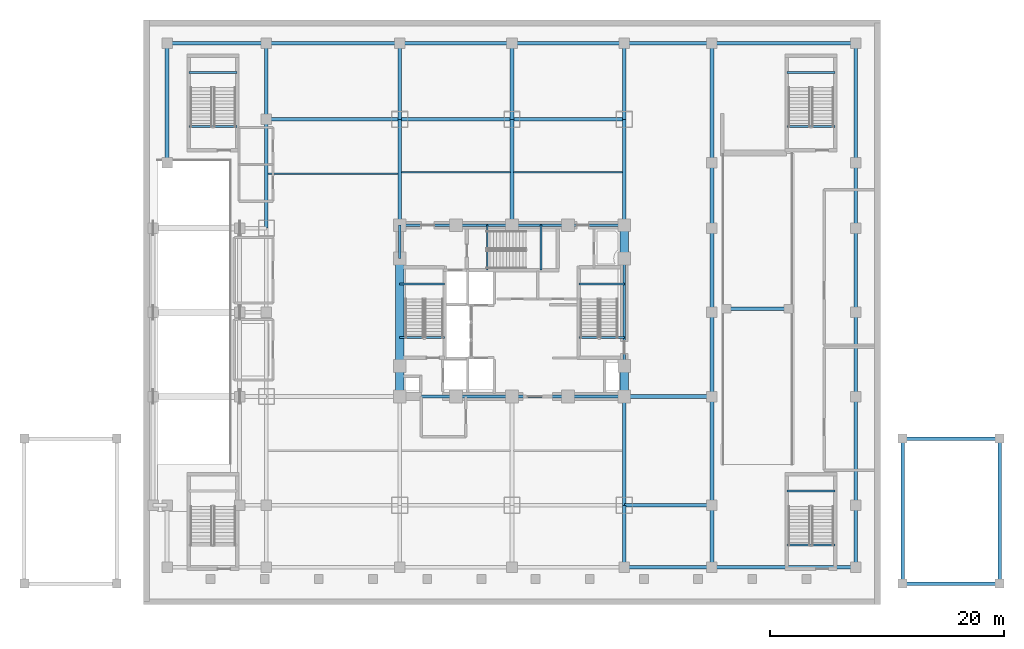
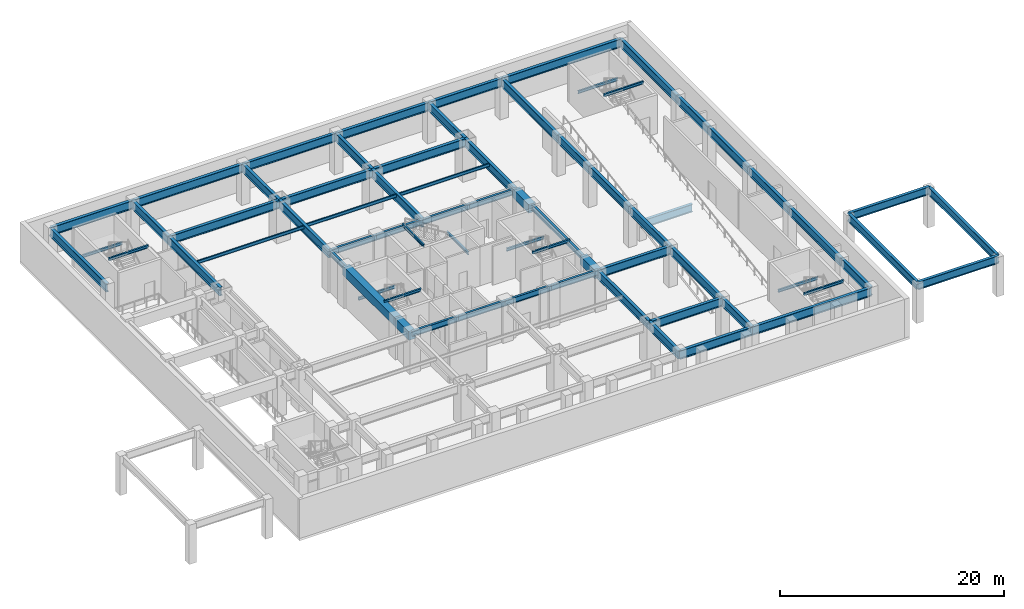
# One storey, part 2 of 12: 70 beams.
"""IFC4 building model written with IfcOpenShell, lengths in metres."""

import ifcopenshell
import ifcopenshell.guid

model = None  # the IFC model being written
_history = None  # IfcOwnerHistory: only IFC2X3 demands one
_inside = {}  # id of a spatial element -> (the spatial element, [elements in it])
_under = {}  # id of a project, library or spatial element -> (it, [spatial elements below it])
_declared = {}  # id of a project -> (the project, [libraries it declares])
_typed = {}  # id of a type object -> (the type object, [elements of that type])
_made_of = {}  # id of a material, layer set ... -> (it, [elements and type objects made of it])


def new_model(schema):
    """Start an empty IFC model of exactly this schema.

    Asked for "IFC4X3", IfcOpenShell would pick the latest addendum, in which some entities
    have other attributes; the version numbers below select the first issue.
    IFC2X3 requires an IfcOwnerHistory on every rooted entity: one is made here for all.
    """
    global model, _history
    if schema == "IFC4X3":
        model = ifcopenshell.file(schema_version=(4, 3, 0, 0))
    else:
        model = ifcopenshell.file(schema=schema)
    _inside.clear()
    _under.clear()
    _declared.clear()
    _typed.clear()
    _made_of.clear()
    _history = None
    if model.schema == "IFC2X3":
        org = make("IfcOrganization", Name="unknown")
        user = make(
            "IfcPersonAndOrganization",
            ThePerson=make("IfcPerson", FamilyName="unknown"),
            TheOrganization=org,
        )
        app = make(
            "IfcApplication",
            ApplicationDeveloper=org,
            Version="unknown",
            ApplicationFullName="unknown",
            ApplicationIdentifier="unknown",
        )
        _history = make(
            "IfcOwnerHistory",
            OwningUser=user,
            OwningApplication=app,
            ChangeAction="ADDED",
            CreationDate=0,
        )
    return model


def make(cls, **values):
    """One entity of the class cls with the attributes given. An attribute that is None is left unset."""
    return model.create_entity(
        cls, **{name: value for name, value in values.items() if value is not None}
    )


def rooted(cls, **values):
    """An entity with a GlobalId (a new one), such as an element, a storey or a relation."""
    return make(cls, GlobalId=ifcopenshell.guid.new(), OwnerHistory=_history, **values)


def si_unit(unit_type, name, prefix=None):
    """IfcSIUnit, for example si_unit("LENGTHUNIT", "METRE", prefix="MILLI")."""
    return make("IfcSIUnit", UnitType=unit_type, Prefix=prefix, Name=name)


def assignment(units):
    """IfcUnitAssignment: the units of a project."""
    return None if units is None else make("IfcUnitAssignment", Units=units)


def point(xyz):
    """IfcCartesianPoint."""
    return None if xyz is None else make("IfcCartesianPoint", Coordinates=xyz)


def direction(xyz):
    """IfcDirection."""
    return None if xyz is None else make("IfcDirection", DirectionRatios=xyz)


def frame(location, z_axis=None, x_axis=None):
    """IfcAxis2Placement3D, a coordinate frame: its origin and axes. An axis left out is left unset."""
    return make(
        "IfcAxis2Placement3D",
        Location=point(location),
        Axis=direction(z_axis),
        RefDirection=direction(x_axis),
    )


def frame_2d(location, x_axis=None):
    """IfcAxis2Placement2D, a coordinate frame in the plane: its origin and x axis."""
    return make(
        "IfcAxis2Placement2D", Location=point(location), RefDirection=direction(x_axis)
    )


def origin():
    """The frame at (0, 0, 0) with its axes left unset."""
    return frame((0.0, 0.0, 0.0))


def origin_2d():
    """The frame at (0, 0) in the plane with its x axis left unset."""
    return frame_2d((0.0, 0.0))


def place(relative_to, where):
    """IfcLocalPlacement: puts the frame where relative to a parent placement (None: the world)."""
    return make(
        "IfcLocalPlacement", PlacementRelTo=relative_to, RelativePlacement=where
    )


def context(
    kind, dimensions, precision=None, world=None, true_north=None, identifier=None
):
    """IfcGeometricRepresentationContext, for example the 3D "Model" context."""
    return make(
        "IfcGeometricRepresentationContext",
        ContextIdentifier=identifier,
        ContextType=kind,
        CoordinateSpaceDimension=dimensions,
        Precision=precision,
        WorldCoordinateSystem=world,
        TrueNorth=true_north,
    )


def subcontext(parent, identifier, kind, view, scale=None):
    """IfcGeometricRepresentationSubContext, for example "Body" below "Model"."""
    return make(
        "IfcGeometricRepresentationSubContext",
        ContextIdentifier=identifier,
        ContextType=kind,
        ParentContext=parent,
        TargetScale=scale,
        TargetView=view,
    )


def project(units=None, contexts=None):
    """IfcProject with its units and contexts."""
    return rooted(
        "IfcProject",
        Name="project",
        RepresentationContexts=contexts,
        UnitsInContext=assignment(units),
    )


def spatial(cls, under=None, at=None, **own):
    """A site, building, storey or space (cls), placed at a placement, below another one or the project."""
    s = rooted(cls, ObjectPlacement=at, **own)
    if under is not None:
        _under.setdefault(under.id(), (under, []))[1].append(s)
    return s


def profile(cls, at=None, kind="AREA", **sizes):
    """A parametric profile (cls). Its sizes go by their IFC names, for example OverallWidth=200.0."""
    return make(cls, ProfileType=kind, Position=at, **sizes)


def rectangle(**sizes):
    """IfcRectangleProfileDef."""
    return profile("IfcRectangleProfileDef", **sizes)


def i_section(**sizes):
    """IfcIShapeProfileDef."""
    return profile("IfcIShapeProfileDef", **sizes)


def extrude(swept, where, along, depth):
    """IfcExtrudedAreaSolid: the profile swept, set in the frame where, extruded along a direction by depth."""
    return make(
        "IfcExtrudedAreaSolid",
        SweptArea=swept,
        Position=where,
        ExtrudedDirection=direction(along),
        Depth=depth,
    )


def shape(context_of_items, identifier, shape_type, items):
    """IfcShapeRepresentation: the items that make up one representation, for example the "Body"."""
    return make(
        "IfcShapeRepresentation",
        ContextOfItems=context_of_items,
        RepresentationIdentifier=identifier,
        RepresentationType=shape_type,
        Items=items,
    )


def material(Name=None, Category=None):
    """IfcMaterial."""
    return make("IfcMaterial", Name=Name, Category=Category)


def material_profile(
    of_material, cross_section, Name=None, Category=None, Priority=None
):
    """IfcMaterialProfile: a cross section and its material."""
    return make(
        "IfcMaterialProfile",
        Name=Name,
        Material=of_material,
        Profile=cross_section,
        Priority=Priority,
        Category=Category,
    )


def profile_set(profiles, Name=None, composite=None):
    """IfcMaterialProfileSet."""
    return make(
        "IfcMaterialProfileSet",
        Name=Name,
        MaterialProfiles=profiles,
        CompositeProfile=composite,
    )


def made_of(thing, what):
    """Note that an element or type object is made of a material, layer set ...; save() writes the relation."""
    if what is not None:
        _made_of.setdefault(what.id(), (what, []))[1].append(thing)
    return thing


def type_object(cls, material=None, **own):
    """A type object (cls), such as IfcWallType, which elements share."""
    return made_of(rooted(cls, **own), material)


def element(
    cls,
    number,
    at=None,
    inside=None,
    cuts=None,
    type_object=None,
    material=None,
    context=None,
    identifier="Body",
    shape_type=None,
    held_by="IfcProductDefinitionShape",
    body=None,
    shapes=None,
    **own,
):
    """One element of the class cls, such as IfcWall. Its Tag is "e" and its number.

    at: its placement. inside: the storey or other place that contains it. cuts: it is an
    opening in that element (IfcRelVoidsElement). A single representation is given by context,
    identifier, shape_type and body (its items); several are given by shapes. held_by: the class
    of the entity that holds the representations. save() writes the other relations.
    """
    e = rooted(cls, Tag="e%d" % number, ObjectPlacement=at, **own)
    if body is not None:
        shapes = [shape(context, identifier, shape_type, body)]
    if shapes is not None:
        e.Representation = make(held_by, Representations=shapes)
    if inside is not None:
        _inside.setdefault(inside.id(), (inside, []))[1].append(e)
    if cuts is not None:
        rooted(
            "IfcRelVoidsElement", RelatingBuildingElement=cuts, RelatedOpeningElement=e
        )
    if type_object is not None:
        _typed.setdefault(type_object.id(), (type_object, []))[1].append(e)
    return made_of(e, material)


def aggregate(whole, parts):
    """IfcRelAggregates: a whole, such as a stair, and the parts it consists of."""
    return rooted("IfcRelAggregates", RelatingObject=whole, RelatedObjects=parts)


def save(model, path):
    """Write the relations noted so far, then the file.

    IfcRelAggregates (storeys below a building ...), IfcRelContainedInSpatialStructure (elements
    in a storey), IfcRelDefinesByType, IfcRelAssociatesMaterial and IfcRelDeclares: one each for
    every whole, place, type object, material and project.
    """
    for whole, parts in _under.values():
        aggregate(whole, parts)
    for where, things in _inside.values():
        rooted(
            "IfcRelContainedInSpatialStructure",
            RelatedElements=things,
            RelatingStructure=where,
        )
    for kind, things in _typed.values():
        rooted("IfcRelDefinesByType", RelatedObjects=things, RelatingType=kind)
    for what, things in _made_of.values():
        rooted("IfcRelAssociatesMaterial", RelatedObjects=things, RelatingMaterial=what)
    for by, libraries in _declared.values():
        rooted("IfcRelDeclares", RelatingContext=by, RelatedDefinitions=libraries)
    model.write(path)


model = new_model("IFC4")

# Units and contexts
model_context = context("Model", 3, precision=1e-05, world=origin(), true_north=direction((0.0, 1.0)))
body_context = subcontext(model_context, "Body", "Model", "MODEL_VIEW")
ifc_project = project(units=[si_unit("LENGTHUNIT", "METRE"), si_unit("AREAUNIT", "SQUARE_METRE"), si_unit("VOLUMEUNIT", "CUBIC_METRE"), si_unit("PLANEANGLEUNIT", "RADIAN"), si_unit("MASSUNIT", "GRAM", prefix="KILO")], contexts=[model_context])

# Site, building, storey
site_placement = place(None, origin())
site = spatial("IfcSite", under=ifc_project, at=site_placement, CompositionType="ELEMENT")
building_placement = place(site_placement, origin())
building = spatial("IfcBuilding", under=site, at=building_placement, Name="Vantalir Tower", CompositionType="ELEMENT")
storey_placement = place(building_placement, frame((0.0, 0.0, -4.5)))
storey = spatial("IfcBuildingStorey", under=building, at=storey_placement, Name="B01", CompositionType="ELEMENT", Elevation=-4.5)

# Beams
ifc_material_1 = material(Name="Concrete C60/75", Category="concrete")
ifc_material_profile_1 = material_profile(ifc_material_1, rectangle(XDim=0.699951171875, YDim=0.949951171875, at=origin_2d()), Name="Concrete C60/75")
ifc_profile_set_1 = profile_set([ifc_material_profile_1], Name="Concrete C60/75")
beam_type_1 = type_object("IfcBeamType", Name="BM-CB-700x950", PredefinedType="USERDEFINED", material=ifc_profile_set_1)
beam_1_placement = place(storey_placement, frame((41.10009765625, 17.800048828125, 3.77490234375), z_axis=(0.0, 1.0, 0.0), x_axis=(-1.0, 0.0, 0.0)))
element("IfcBeam", 1, at=beam_1_placement, inside=storey, type_object=beam_type_1, Name="B01 Core Coupling Girder 05", ObjectType="GIRDER", PredefinedType="USERDEFINED", context=body_context, shape_type="SweptSolid", body=[
    extrude(rectangle(XDim=0.699951171875, YDim=0.949951171875, at=origin_2d()), origin(), (0.0, 0.0, 1.0), 2.599853515625),
])
beam_2_placement = place(storey_placement, frame((41.10009765625, 29.60009765625, 3.77490234375), z_axis=(0.0, 1.0, 0.0), x_axis=(-1.0, 0.0, 0.0)))
element("IfcBeam", 2, at=beam_2_placement, inside=storey, type_object=beam_type_1, Name="B01 Core Coupling Girder 07", ObjectType="GIRDER", PredefinedType="USERDEFINED", context=body_context, shape_type="SweptSolid", body=[
    extrude(rectangle(XDim=0.699951171875, YDim=0.949951171875, at=origin_2d()), origin(), (0.0, 0.0, 1.0), 2.849853515625),
])
beam_3_placement = place(storey_placement, frame((21.89990234375, 29.60009765625, 3.77490234375), z_axis=(0.0, -1.0, 0.0), x_axis=(1.0, 0.0, 0.0)))
element("IfcBeam", 3, at=beam_3_placement, inside=storey, type_object=beam_type_1, Name="B01 Core Coupling Girder 13", ObjectType="GIRDER", PredefinedType="USERDEFINED", context=body_context, shape_type="SweptSolid", body=[
    extrude(rectangle(XDim=0.699951171875, YDim=0.949951171875, at=origin_2d()), origin(), (0.0, 0.0, 1.0), 9.2001953125),
])
beam_4_placement = place(storey_placement, frame((21.89990234375, 20.39990234375, 3.77490234375), z_axis=(0.0, -1.0, 0.0), x_axis=(1.0, 0.0, 0.0)))
element("IfcBeam", 4, at=beam_4_placement, inside=storey, type_object=beam_type_1, Name="B01 Core Coupling Girder 14", ObjectType="GIRDER", PredefinedType="USERDEFINED", context=body_context, shape_type="SweptSolid", body=[
    extrude(rectangle(XDim=0.699951171875, YDim=0.949951171875, at=origin_2d()), origin(), (0.0, 0.0, 1.0), 2.599853515625),
])
ifc_material_2 = material(Name="Steel S355", Category="steel")
ifc_material_profile_2 = material_profile(ifc_material_2, i_section(OverallWidth=0.166015625, OverallDepth=0.306884765625, WebThickness=0.006591796875, FlangeThickness=0.01171875, at=origin_2d()), Name="Steel S355")
ifc_profile_set_2 = profile_set([ifc_material_profile_2], Name="Steel S355")
beam_type_2 = type_object("IfcBeamType", Name="BM-JS-305x165", PredefinedType="JOIST", material=ifc_profile_set_2)
for number, where, z_axis, x_axis, name in (
    (5, (21.89990234375, 22.8349609375, 4.345947265625), (1.0, 0.0, 0.0), (0.0, 1.0, 0.0), "L00 Stair ST1 Well Nosing Trimmer Beam"),
    (6, (21.89990234375, 27.425048828125, 1.89599609375), (1.0, 0.0, 0.0), (0.0, 1.0, 0.0), "B01 Stair ST1 Half-Landing Support Beam"),
):
    element("IfcBeam", number, at=place(storey_placement, frame(where, z_axis=z_axis, x_axis=x_axis)), inside=storey, type_object=beam_type_2, Name=name, PredefinedType="JOIST", context=body_context, shape_type="SweptSolid", body=[
        extrude(i_section(OverallWidth=0.166015625, OverallDepth=0.306884765625, WebThickness=0.006591796875, FlangeThickness=0.01171875, at=origin_2d()), origin(), (0.0, 0.0, 1.0), 3.840087890625),
    ])
for number, where, z_axis, x_axis, name in (
    (7, (37.2099609375, 22.8349609375, 4.345947265625), (1.0, 0.0, 0.0), (0.0, 1.0, 0.0), "L00 Stair ST2 Well Nosing Trimmer Beam"),
    (8, (37.2099609375, 27.425048828125, 1.89599609375), (1.0, 0.0, 0.0), (0.0, 1.0, 0.0), "B01 Stair ST2 Half-Landing Support Beam"),
):
    element("IfcBeam", number, at=place(storey_placement, frame(where, z_axis=z_axis, x_axis=x_axis)), inside=storey, type_object=beam_type_2, Name=name, PredefinedType="JOIST", context=body_context, shape_type="SweptSolid", body=[
        extrude(i_section(OverallWidth=0.166015625, OverallDepth=0.306884765625, WebThickness=0.006591796875, FlangeThickness=0.01171875, at=origin_2d()), origin(), (0.0, 0.0, 1.0), 3.89013671875),
    ])
for number, where, z_axis, x_axis, name in (
    (9, (29.385009765625, 28.60009765625, 4.345947265625), (0.0, 1.0, 0.0), (-1.0, 0.0, 0.0), "L00 Stair ST3 Well Nosing Trimmer Beam"),
    (10, (33.97509765625, 28.60009765625, 1.89599609375), (0.0, 1.0, 0.0), (-1.0, 0.0, 0.0), "B01 Stair ST3 Half-Landing Support Beam"),
):
    element("IfcBeam", number, at=place(storey_placement, frame(where, z_axis=z_axis, x_axis=x_axis)), inside=storey, type_object=beam_type_2, Name=name, PredefinedType="JOIST", context=body_context, shape_type="SweptSolid", body=[
        extrude(i_section(OverallWidth=0.166015625, OverallDepth=0.306884765625, WebThickness=0.006591796875, FlangeThickness=0.01171875, at=origin_2d()), origin(), (0.0, 0.0, 1.0), 3.849853515625),
    ])
for number, where, z_axis, x_axis, name in (
    (11, (3.860107421875, 40.89501953125, 4.345947265625), (1.0, 0.0, 0.0), (0.0, 1.0, 0.0), "L00 Stair PST1 Well Nosing Trimmer Beam"),
    (12, (3.860107421875, 45.5048828125, 1.89599609375), (1.0, 0.0, 0.0), (0.0, 1.0, 0.0), "B01 Stair PST1 Half-Landing Support Beam"),
    (13, (55.010009765625, 40.89501953125, 4.345947265625), (1.0, 0.0, 0.0), (0.0, 1.0, 0.0), "L00 Stair PST2 Well Nosing Trimmer Beam"),
    (14, (55.010009765625, 45.5048828125, 1.89599609375), (1.0, 0.0, 0.0), (0.0, 1.0, 0.0), "B01 Stair PST2 Half-Landing Support Beam"),
    (15, (55.010009765625, 5.094970703125, 4.345947265625), (1.0, 0.0, 0.0), (0.0, 1.0, 0.0), "L00 Stair PST4 Well Nosing Trimmer Beam"),
    (16, (55.010009765625, 9.705078125, 1.89599609375), (1.0, 0.0, 0.0), (0.0, 1.0, 0.0), "B01 Stair PST4 Half-Landing Support Beam"),
):
    element("IfcBeam", number, at=place(storey_placement, frame(where, z_axis=z_axis, x_axis=x_axis)), inside=storey, type_object=beam_type_2, Name=name, PredefinedType="JOIST", context=body_context, shape_type="SweptSolid", body=[
        extrude(i_section(OverallWidth=0.166015625, OverallDepth=0.306884765625, WebThickness=0.006591796875, FlangeThickness=0.01171875, at=origin_2d()), origin(), (0.0, 0.0, 1.0), 4.1298828125),
    ])
ifc_material_profile_3 = material_profile(ifc_material_2, i_section(OverallWidth=0.1259765625, OverallDepth=0.35302734375, WebThickness=0.006591796875, FlangeThickness=0.0107421875, at=origin_2d()), Name="Steel S355")
ifc_profile_set_3 = profile_set([ifc_material_profile_3], Name="Steel S355")
beam_type_3 = type_object("IfcBeamType", Name="BM-JS-356x127", PredefinedType="JOIST", material=ifc_profile_set_3)
beam_5_placement = place(storey_placement, frame((10.64501953125, 36.85009765625, 4.073974609375), z_axis=(1.0, 0.0, 0.0), x_axis=(0.0, 1.0, 0.0)))
element("IfcBeam", 17, at=beam_5_placement, inside=storey, type_object=beam_type_3, Name="B01 Secondary Composite Joist 02", PredefinedType="JOIST", context=body_context, shape_type="SweptSolid", body=[
    extrude(i_section(OverallWidth=0.1259765625, OverallDepth=0.35302734375, WebThickness=0.006591796875, FlangeThickness=0.0107421875, at=origin_2d()), origin(), (0.0, 0.0, 1.0), 11.10986328125),
])
for number, where, z_axis, x_axis, name in (
    (18, (22.044921875, 36.97509765625, 4.073974609375), (1.0, 0.0, 0.0), (0.0, 1.0, 0.0), "B01 Secondary Composite Joist 04"),
    (19, (31.64501953125, 36.97509765625, 4.073974609375), (1.0, 0.0, 0.0), (0.0, 1.0, 0.0), "B01 Secondary Composite Joist 06"),
):
    element("IfcBeam", number, at=place(storey_placement, frame(where, z_axis=z_axis, x_axis=x_axis)), inside=storey, type_object=beam_type_3, Name=name, PredefinedType="JOIST", context=body_context, shape_type="SweptSolid", body=[
        extrude(i_section(OverallWidth=0.1259765625, OverallDepth=0.35302734375, WebThickness=0.006591796875, FlangeThickness=0.0107421875, at=origin_2d()), origin(), (0.0, 0.0, 1.0), 9.31005859375),
    ])
ifc_material_profile_4 = material_profile(ifc_material_2, i_section(OverallWidth=0.2939453125, OverallDepth=0.85107421875, WebThickness=0.01611328125, FlangeThickness=0.02685546875, at=origin_2d()), Name="Steel S355")
ifc_profile_set_4 = profile_set([ifc_material_profile_4], Name="Steel S355")
beam_type_4 = type_object("IfcBeamType", Name="BM-PG-838x292", PredefinedType="USERDEFINED", material=ifc_profile_set_4)
beam_6_placement = place(storey_placement, frame((64.89990234375, 1.800048828125, 3.85400390625), z_axis=(1.0, 0.0, 0.0), x_axis=(0.0, 1.0, 0.0)))
element("IfcBeam", 20, at=beam_6_placement, inside=storey, type_object=beam_type_4, Name="Waterfront Boardwalk Edge Girder EAST 1", ObjectType="GIRDER", PredefinedType="USERDEFINED", context=body_context, shape_type="SweptSolid", body=[
    extrude(i_section(OverallWidth=0.2939453125, OverallDepth=0.85107421875, WebThickness=0.01611328125, FlangeThickness=0.02685546875, at=origin_2d()), origin(), (0.0, 0.0, 1.0), 8.300048828125),
])
beam_7_placement = place(storey_placement, frame((73.199951171875, 1.800048828125, 3.85400390625), z_axis=(0.0, 1.0, 0.0), x_axis=(-1.0, 0.0, 0.0)))
element("IfcBeam", 21, at=beam_7_placement, inside=storey, type_object=beam_type_4, Name="Waterfront Boardwalk Edge Girder EAST 2", ObjectType="GIRDER", PredefinedType="USERDEFINED", context=body_context, shape_type="SweptSolid", body=[
    extrude(i_section(OverallWidth=0.2939453125, OverallDepth=0.85107421875, WebThickness=0.01611328125, FlangeThickness=0.02685546875, at=origin_2d()), origin(), (0.0, 0.0, 1.0), 12.39990234375),
])
beam_8_placement = place(storey_placement, frame((73.199951171875, 14.199951171875, 3.85400390625), z_axis=(-1.0, 0.0, 0.0), x_axis=(0.0, -1.0, 0.0)))
element("IfcBeam", 22, at=beam_8_placement, inside=storey, type_object=beam_type_4, Name="Waterfront Boardwalk Edge Girder EAST 3", ObjectType="GIRDER", PredefinedType="USERDEFINED", context=body_context, shape_type="SweptSolid", body=[
    extrude(i_section(OverallWidth=0.2939453125, OverallDepth=0.85107421875, WebThickness=0.01611328125, FlangeThickness=0.02685546875, at=origin_2d()), origin(), (0.0, 0.0, 1.0), 8.300048828125),
])
beam_9_placement = place(storey_placement, frame((64.89990234375, 14.199951171875, 3.85400390625), z_axis=(0.0, -1.0, 0.0), x_axis=(1.0, 0.0, 0.0)))
element("IfcBeam", 23, at=beam_9_placement, inside=storey, type_object=beam_type_4, Name="Waterfront Boardwalk Edge Girder EAST 4", ObjectType="GIRDER", PredefinedType="USERDEFINED", context=body_context, shape_type="SweptSolid", body=[
    extrude(i_section(OverallWidth=0.2939453125, OverallDepth=0.85107421875, WebThickness=0.01611328125, FlangeThickness=0.02685546875, at=origin_2d()), origin(), (0.0, 0.0, 1.0), 12.39990234375),
])
beam_10_placement = place(storey_placement, frame((49.85009765625, 25.300048828125, 1.533935546875), z_axis=(1.0, 0.0, 0.0), x_axis=(0.0, 1.0, 0.0)))
element("IfcBeam", 24, at=beam_10_placement, inside=storey, type_object=beam_type_4, Name="B01 Car Park Ramp VR1 Mid-Span Support Girder", ObjectType="GIRDER", PredefinedType="USERDEFINED", context=body_context, shape_type="SweptSolid", body=[
    extrude(i_section(OverallWidth=0.2939453125, OverallDepth=0.85107421875, WebThickness=0.01611328125, FlangeThickness=0.02685546875, at=origin_2d()), origin(), (0.0, 0.0, 1.0), 5.2998046875),
])
ifc_material_profile_5 = material_profile(ifc_material_2, i_section(OverallWidth=0.30810546875, OverallDepth=0.927001953125, WebThickness=0.01953125, FlangeThickness=0.031982421875, at=origin_2d()), Name="Steel S355")
ifc_profile_set_5 = profile_set([ifc_material_profile_5], Name="Steel S355")
beam_type_5 = type_object("IfcBeamType", Name="BM-PG-914x305", PredefinedType="USERDEFINED", material=ifc_profile_set_5)
beam_11_placement = place(storey_placement, frame((41.10009765625, 3.199951171875, 3.785888671875), z_axis=(1.0, 0.0, 0.0), x_axis=(0.0, 1.0, 0.0)))
element("IfcBeam", 25, at=beam_11_placement, inside=storey, type_object=beam_type_5, Name="B01 Podium E-W Girder 05", ObjectType="GIRDER", PredefinedType="USERDEFINED", context=body_context, shape_type="SweptSolid", body=[
    extrude(i_section(OverallWidth=0.30810546875, OverallDepth=0.927001953125, WebThickness=0.01953125, FlangeThickness=0.031982421875, at=origin_2d()), origin(), (0.0, 0.0, 1.0), 7.5),
])
beam_12_placement = place(storey_placement, frame((48.60009765625, 3.199951171875, 3.785888671875), z_axis=(1.0, 0.0, 0.0), x_axis=(0.0, 1.0, 0.0)))
element("IfcBeam", 26, at=beam_12_placement, inside=storey, type_object=beam_type_5, Name="B01 Podium E-W Girder 06", ObjectType="GIRDER", PredefinedType="USERDEFINED", context=body_context, shape_type="SweptSolid", body=[
    extrude(i_section(OverallWidth=0.30810546875, OverallDepth=0.927001953125, WebThickness=0.01953125, FlangeThickness=0.031982421875, at=origin_2d()), origin(), (0.0, 0.0, 1.0), 12.2998046875),
])
for number, where, z_axis, x_axis, name in (
    (27, (41.10009765625, 8.5, 3.785888671875), (1.0, 0.0, 0.0), (0.0, 1.0, 0.0), "B01 Podium E-W Girder 12"),
    (28, (41.10009765625, 17.800048828125, 3.785888671875), (1.0, 0.0, 0.0), (0.0, 1.0, 0.0), "B01 Podium E-W Girder 20"),
):
    element("IfcBeam", number, at=place(storey_placement, frame(where, z_axis=z_axis, x_axis=x_axis)), inside=storey, type_object=beam_type_5, Name=name, ObjectType="GIRDER", PredefinedType="USERDEFINED", context=body_context, shape_type="SweptSolid", body=[
        extrude(i_section(OverallWidth=0.30810546875, OverallDepth=0.927001953125, WebThickness=0.01953125, FlangeThickness=0.031982421875, at=origin_2d()), origin(), (0.0, 0.0, 1.0), 7.5),
    ])
beam_13_placement = place(storey_placement, frame((10.5, 41.5, 3.785888671875), z_axis=(1.0, 0.0, 0.0), x_axis=(0.0, 1.0, 0.0)))
element("IfcBeam", 29, at=beam_13_placement, inside=storey, type_object=beam_type_5, Name="B01 Podium E-W Girder 29", ObjectType="GIRDER", PredefinedType="USERDEFINED", context=body_context, shape_type="SweptSolid", body=[
    extrude(i_section(OverallWidth=0.30810546875, OverallDepth=0.927001953125, WebThickness=0.01953125, FlangeThickness=0.031982421875, at=origin_2d()), origin(), (0.0, 0.0, 1.0), 11.39990234375),
])
for number, where, z_axis, x_axis, name in (
    (30, (21.89990234375, 41.5, 3.785888671875), (1.0, 0.0, 0.0), (0.0, 1.0, 0.0), "B01 Podium E-W Girder 30"),
    (31, (31.5, 41.5, 3.785888671875), (1.0, 0.0, 0.0), (0.0, 1.0, 0.0), "B01 Podium E-W Girder 31"),
):
    element("IfcBeam", number, at=place(storey_placement, frame(where, z_axis=z_axis, x_axis=x_axis)), inside=storey, type_object=beam_type_5, Name=name, ObjectType="GIRDER", PredefinedType="USERDEFINED", context=body_context, shape_type="SweptSolid", body=[
        extrude(i_section(OverallWidth=0.30810546875, OverallDepth=0.927001953125, WebThickness=0.01953125, FlangeThickness=0.031982421875, at=origin_2d()), origin(), (0.0, 0.0, 1.0), 9.60009765625),
    ])
beam_14_placement = place(storey_placement, frame((2.0, 48.0, 3.785888671875), z_axis=(1.0, 0.0, 0.0), x_axis=(0.0, 1.0, 0.0)))
element("IfcBeam", 32, at=beam_14_placement, inside=storey, type_object=beam_type_5, Name="B01 Podium E-W Girder 32", ObjectType="GIRDER", PredefinedType="USERDEFINED", context=body_context, shape_type="SweptSolid", body=[
    extrude(i_section(OverallWidth=0.30810546875, OverallDepth=0.927001953125, WebThickness=0.01953125, FlangeThickness=0.031982421875, at=origin_2d()), origin(), (0.0, 0.0, 1.0), 8.5),
])
beam_15_placement = place(storey_placement, frame((10.5, 48.0, 3.785888671875), z_axis=(1.0, 0.0, 0.0), x_axis=(0.0, 1.0, 0.0)))
element("IfcBeam", 33, at=beam_15_placement, inside=storey, type_object=beam_type_5, Name="B01 Podium E-W Girder 33", ObjectType="GIRDER", PredefinedType="USERDEFINED", context=body_context, shape_type="SweptSolid", body=[
    extrude(i_section(OverallWidth=0.30810546875, OverallDepth=0.927001953125, WebThickness=0.01953125, FlangeThickness=0.031982421875, at=origin_2d()), origin(), (0.0, 0.0, 1.0), 11.39990234375),
])
for number, where, z_axis, x_axis, name in (
    (34, (21.89990234375, 48.0, 3.785888671875), (1.0, 0.0, 0.0), (0.0, 1.0, 0.0), "B01 Podium E-W Girder 34"),
    (35, (31.5, 48.0, 3.785888671875), (1.0, 0.0, 0.0), (0.0, 1.0, 0.0), "B01 Podium E-W Girder 35"),
):
    element("IfcBeam", number, at=place(storey_placement, frame(where, z_axis=z_axis, x_axis=x_axis)), inside=storey, type_object=beam_type_5, Name=name, ObjectType="GIRDER", PredefinedType="USERDEFINED", context=body_context, shape_type="SweptSolid", body=[
        extrude(i_section(OverallWidth=0.30810546875, OverallDepth=0.927001953125, WebThickness=0.01953125, FlangeThickness=0.031982421875, at=origin_2d()), origin(), (0.0, 0.0, 1.0), 9.60009765625),
    ])
beam_16_placement = place(storey_placement, frame((41.10009765625, 48.0, 3.785888671875), z_axis=(1.0, 0.0, 0.0), x_axis=(0.0, 1.0, 0.0)))
element("IfcBeam", 36, at=beam_16_placement, inside=storey, type_object=beam_type_5, Name="B01 Podium E-W Girder 36", ObjectType="GIRDER", PredefinedType="USERDEFINED", context=body_context, shape_type="SweptSolid", body=[
    extrude(i_section(OverallWidth=0.30810546875, OverallDepth=0.927001953125, WebThickness=0.01953125, FlangeThickness=0.031982421875, at=origin_2d()), origin(), (0.0, 0.0, 1.0), 7.5),
])
beam_17_placement = place(storey_placement, frame((48.60009765625, 48.0, 3.785888671875), z_axis=(1.0, 0.0, 0.0), x_axis=(0.0, 1.0, 0.0)))
element("IfcBeam", 37, at=beam_17_placement, inside=storey, type_object=beam_type_5, Name="B01 Podium E-W Girder 37", ObjectType="GIRDER", PredefinedType="USERDEFINED", context=body_context, shape_type="SweptSolid", body=[
    extrude(i_section(OverallWidth=0.30810546875, OverallDepth=0.927001953125, WebThickness=0.01953125, FlangeThickness=0.031982421875, at=origin_2d()), origin(), (0.0, 0.0, 1.0), 12.2998046875),
])
beam_18_placement = place(storey_placement, frame((2.0, 37.800048828125, 3.785888671875), z_axis=(0.0, 1.0, 0.0), x_axis=(-1.0, 0.0, 0.0)))
element("IfcBeam", 38, at=beam_18_placement, inside=storey, type_object=beam_type_5, Name="B01 Podium N-S Girder 42", ObjectType="GIRDER", PredefinedType="USERDEFINED", context=body_context, shape_type="SweptSolid", body=[
    extrude(i_section(OverallWidth=0.30810546875, OverallDepth=0.927001953125, WebThickness=0.01953125, FlangeThickness=0.031982421875, at=origin_2d()), origin(), (0.0, 0.0, 1.0), 10.199951171875),
])
beam_19_placement = place(storey_placement, frame((10.5, 32.199951171875, 3.785888671875), z_axis=(0.0, 1.0, 0.0), x_axis=(-1.0, 0.0, 0.0)))
element("IfcBeam", 39, at=beam_19_placement, inside=storey, type_object=beam_type_5, Name="B01 Podium N-S Girder 50", ObjectType="GIRDER", PredefinedType="USERDEFINED", context=body_context, shape_type="SweptSolid", body=[
    extrude(i_section(OverallWidth=0.30810546875, OverallDepth=0.927001953125, WebThickness=0.01953125, FlangeThickness=0.031982421875, at=origin_2d()), origin(), (0.0, 0.0, 1.0), 9.300048828125),
])
beam_20_placement = place(storey_placement, frame((10.5, 41.5, 3.785888671875), z_axis=(0.0, 1.0, 0.0), x_axis=(-1.0, 0.0, 0.0)))
element("IfcBeam", 40, at=beam_20_placement, inside=storey, type_object=beam_type_5, Name="B01 Podium N-S Girder 51", ObjectType="GIRDER", PredefinedType="USERDEFINED", context=body_context, shape_type="SweptSolid", body=[
    extrude(i_section(OverallWidth=0.30810546875, OverallDepth=0.927001953125, WebThickness=0.01953125, FlangeThickness=0.031982421875, at=origin_2d()), origin(), (0.0, 0.0, 1.0), 6.5),
])
beam_21_placement = place(storey_placement, frame((21.89990234375, 32.449951171875, 3.785888671875), z_axis=(0.0, 1.0, 0.0), x_axis=(-1.0, 0.0, 0.0)))
element("IfcBeam", 41, at=beam_21_placement, inside=storey, type_object=beam_type_5, Name="B01 Podium N-S Girder 57", ObjectType="GIRDER", PredefinedType="USERDEFINED", context=body_context, shape_type="SweptSolid", body=[
    extrude(i_section(OverallWidth=0.30810546875, OverallDepth=0.927001953125, WebThickness=0.01953125, FlangeThickness=0.031982421875, at=origin_2d()), origin(), (0.0, 0.0, 1.0), 9.050048828125),
])
beam_22_placement = place(storey_placement, frame((21.89990234375, 41.5, 3.785888671875), z_axis=(0.0, 1.0, 0.0), x_axis=(-1.0, 0.0, 0.0)))
element("IfcBeam", 42, at=beam_22_placement, inside=storey, type_object=beam_type_5, Name="B01 Podium N-S Girder 58", ObjectType="GIRDER", PredefinedType="USERDEFINED", context=body_context, shape_type="SweptSolid", body=[
    extrude(i_section(OverallWidth=0.30810546875, OverallDepth=0.927001953125, WebThickness=0.01953125, FlangeThickness=0.031982421875, at=origin_2d()), origin(), (0.0, 0.0, 1.0), 6.5),
])
beam_23_placement = place(storey_placement, frame((31.5, 32.449951171875, 3.785888671875), z_axis=(0.0, 1.0, 0.0), x_axis=(-1.0, 0.0, 0.0)))
element("IfcBeam", 43, at=beam_23_placement, inside=storey, type_object=beam_type_5, Name="B01 Podium N-S Girder 61", ObjectType="GIRDER", PredefinedType="USERDEFINED", context=body_context, shape_type="SweptSolid", body=[
    extrude(i_section(OverallWidth=0.30810546875, OverallDepth=0.927001953125, WebThickness=0.01953125, FlangeThickness=0.031982421875, at=origin_2d()), origin(), (0.0, 0.0, 1.0), 9.050048828125),
])
beam_24_placement = place(storey_placement, frame((31.5, 41.5, 3.785888671875), z_axis=(0.0, 1.0, 0.0), x_axis=(-1.0, 0.0, 0.0)))
element("IfcBeam", 44, at=beam_24_placement, inside=storey, type_object=beam_type_5, Name="B01 Podium N-S Girder 62", ObjectType="GIRDER", PredefinedType="USERDEFINED", context=body_context, shape_type="SweptSolid", body=[
    extrude(i_section(OverallWidth=0.30810546875, OverallDepth=0.927001953125, WebThickness=0.01953125, FlangeThickness=0.031982421875, at=origin_2d()), origin(), (0.0, 0.0, 1.0), 6.5),
])
beam_25_placement = place(storey_placement, frame((41.10009765625, 3.199951171875, 3.785888671875), z_axis=(0.0, 1.0, 0.0), x_axis=(-1.0, 0.0, 0.0)))
element("IfcBeam", 45, at=beam_25_placement, inside=storey, type_object=beam_type_5, Name="B01 Podium N-S Girder 63", ObjectType="GIRDER", PredefinedType="USERDEFINED", context=body_context, shape_type="SweptSolid", body=[
    extrude(i_section(OverallWidth=0.30810546875, OverallDepth=0.927001953125, WebThickness=0.01953125, FlangeThickness=0.031982421875, at=origin_2d()), origin(), (0.0, 0.0, 1.0), 5.300048828125),
])
beam_26_placement = place(storey_placement, frame((41.10009765625, 8.5, 3.785888671875), z_axis=(0.0, 1.0, 0.0), x_axis=(-1.0, 0.0, 0.0)))
element("IfcBeam", 46, at=beam_26_placement, inside=storey, type_object=beam_type_5, Name="B01 Podium N-S Girder 64", ObjectType="GIRDER", PredefinedType="USERDEFINED", context=body_context, shape_type="SweptSolid", body=[
    extrude(i_section(OverallWidth=0.30810546875, OverallDepth=0.927001953125, WebThickness=0.01953125, FlangeThickness=0.031982421875, at=origin_2d()), origin(), (0.0, 0.0, 1.0), 9.300048828125),
])
beam_27_placement = place(storey_placement, frame((41.10009765625, 32.449951171875, 3.785888671875), z_axis=(0.0, 1.0, 0.0), x_axis=(-1.0, 0.0, 0.0)))
element("IfcBeam", 47, at=beam_27_placement, inside=storey, type_object=beam_type_5, Name="B01 Podium N-S Girder 68", ObjectType="GIRDER", PredefinedType="USERDEFINED", context=body_context, shape_type="SweptSolid", body=[
    extrude(i_section(OverallWidth=0.30810546875, OverallDepth=0.927001953125, WebThickness=0.01953125, FlangeThickness=0.031982421875, at=origin_2d()), origin(), (0.0, 0.0, 1.0), 9.050048828125),
])
beam_28_placement = place(storey_placement, frame((41.10009765625, 41.5, 3.785888671875), z_axis=(0.0, 1.0, 0.0), x_axis=(-1.0, 0.0, 0.0)))
element("IfcBeam", 48, at=beam_28_placement, inside=storey, type_object=beam_type_5, Name="B01 Podium N-S Girder 69", ObjectType="GIRDER", PredefinedType="USERDEFINED", context=body_context, shape_type="SweptSolid", body=[
    extrude(i_section(OverallWidth=0.30810546875, OverallDepth=0.927001953125, WebThickness=0.01953125, FlangeThickness=0.031982421875, at=origin_2d()), origin(), (0.0, 0.0, 1.0), 6.5),
])
beam_29_placement = place(storey_placement, frame((48.60009765625, 3.199951171875, 3.785888671875), z_axis=(0.0, 1.0, 0.0), x_axis=(-1.0, 0.0, 0.0)))
element("IfcBeam", 49, at=beam_29_placement, inside=storey, type_object=beam_type_5, Name="B01 Podium N-S Girder 70", ObjectType="GIRDER", PredefinedType="USERDEFINED", context=body_context, shape_type="SweptSolid", body=[
    extrude(i_section(OverallWidth=0.30810546875, OverallDepth=0.927001953125, WebThickness=0.01953125, FlangeThickness=0.031982421875, at=origin_2d()), origin(), (0.0, 0.0, 1.0), 5.300048828125),
])
beam_30_placement = place(storey_placement, frame((48.60009765625, 8.5, 3.785888671875), z_axis=(0.0, 1.0, 0.0), x_axis=(-1.0, 0.0, 0.0)))
element("IfcBeam", 50, at=beam_30_placement, inside=storey, type_object=beam_type_5, Name="B01 Podium N-S Girder 71", ObjectType="GIRDER", PredefinedType="USERDEFINED", context=body_context, shape_type="SweptSolid", body=[
    extrude(i_section(OverallWidth=0.30810546875, OverallDepth=0.927001953125, WebThickness=0.01953125, FlangeThickness=0.031982421875, at=origin_2d()), origin(), (0.0, 0.0, 1.0), 9.300048828125),
])
for number, where, z_axis, x_axis, name in (
    (51, (48.60009765625, 17.800048828125, 3.785888671875), (0.0, 1.0, 0.0), (-1.0, 0.0, 0.0), "B01 Podium N-S Girder 72"),
    (52, (48.60009765625, 25.0, 3.785888671875), (0.0, 1.0, 0.0), (-1.0, 0.0, 0.0), "B01 Podium N-S Girder 73"),
):
    element("IfcBeam", number, at=place(storey_placement, frame(where, z_axis=z_axis, x_axis=x_axis)), inside=storey, type_object=beam_type_5, Name=name, ObjectType="GIRDER", PredefinedType="USERDEFINED", context=body_context, shape_type="SweptSolid", body=[
        extrude(i_section(OverallWidth=0.30810546875, OverallDepth=0.927001953125, WebThickness=0.01953125, FlangeThickness=0.031982421875, at=origin_2d()), origin(), (0.0, 0.0, 1.0), 7.199951171875),
    ])
beam_31_placement = place(storey_placement, frame((48.60009765625, 32.199951171875, 3.785888671875), z_axis=(0.0, 1.0, 0.0), x_axis=(-1.0, 0.0, 0.0)))
element("IfcBeam", 53, at=beam_31_placement, inside=storey, type_object=beam_type_5, Name="B01 Podium N-S Girder 74", ObjectType="GIRDER", PredefinedType="USERDEFINED", context=body_context, shape_type="SweptSolid", body=[
    extrude(i_section(OverallWidth=0.30810546875, OverallDepth=0.927001953125, WebThickness=0.01953125, FlangeThickness=0.031982421875, at=origin_2d()), origin(), (0.0, 0.0, 1.0), 5.60009765625),
])
beam_32_placement = place(storey_placement, frame((48.60009765625, 37.800048828125, 3.785888671875), z_axis=(0.0, 1.0, 0.0), x_axis=(-1.0, 0.0, 0.0)))
element("IfcBeam", 54, at=beam_32_placement, inside=storey, type_object=beam_type_5, Name="B01 Podium N-S Girder 75", ObjectType="GIRDER", PredefinedType="USERDEFINED", context=body_context, shape_type="SweptSolid", body=[
    extrude(i_section(OverallWidth=0.30810546875, OverallDepth=0.927001953125, WebThickness=0.01953125, FlangeThickness=0.031982421875, at=origin_2d()), origin(), (0.0, 0.0, 1.0), 10.199951171875),
])
beam_33_placement = place(storey_placement, frame((60.89990234375, 3.199951171875, 3.785888671875), z_axis=(0.0, 1.0, 0.0), x_axis=(-1.0, 0.0, 0.0)))
element("IfcBeam", 55, at=beam_33_placement, inside=storey, type_object=beam_type_5, Name="B01 Podium N-S Girder 76", ObjectType="GIRDER", PredefinedType="USERDEFINED", context=body_context, shape_type="SweptSolid", body=[
    extrude(i_section(OverallWidth=0.30810546875, OverallDepth=0.927001953125, WebThickness=0.01953125, FlangeThickness=0.031982421875, at=origin_2d()), origin(), (0.0, 0.0, 1.0), 5.300048828125),
])
beam_34_placement = place(storey_placement, frame((60.89990234375, 8.5, 3.785888671875), z_axis=(0.0, 1.0, 0.0), x_axis=(-1.0, 0.0, 0.0)))
element("IfcBeam", 56, at=beam_34_placement, inside=storey, type_object=beam_type_5, Name="B01 Podium N-S Girder 77", ObjectType="GIRDER", PredefinedType="USERDEFINED", context=body_context, shape_type="SweptSolid", body=[
    extrude(i_section(OverallWidth=0.30810546875, OverallDepth=0.927001953125, WebThickness=0.01953125, FlangeThickness=0.031982421875, at=origin_2d()), origin(), (0.0, 0.0, 1.0), 9.300048828125),
])
for number, where, z_axis, x_axis, name in (
    (57, (60.89990234375, 17.800048828125, 3.785888671875), (0.0, 1.0, 0.0), (-1.0, 0.0, 0.0), "B01 Podium N-S Girder 78"),
    (58, (60.89990234375, 25.0, 3.785888671875), (0.0, 1.0, 0.0), (-1.0, 0.0, 0.0), "B01 Podium N-S Girder 79"),
):
    element("IfcBeam", number, at=place(storey_placement, frame(where, z_axis=z_axis, x_axis=x_axis)), inside=storey, type_object=beam_type_5, Name=name, ObjectType="GIRDER", PredefinedType="USERDEFINED", context=body_context, shape_type="SweptSolid", body=[
        extrude(i_section(OverallWidth=0.30810546875, OverallDepth=0.927001953125, WebThickness=0.01953125, FlangeThickness=0.031982421875, at=origin_2d()), origin(), (0.0, 0.0, 1.0), 7.199951171875),
    ])
beam_35_placement = place(storey_placement, frame((60.89990234375, 32.199951171875, 3.785888671875), z_axis=(0.0, 1.0, 0.0), x_axis=(-1.0, 0.0, 0.0)))
element("IfcBeam", 59, at=beam_35_placement, inside=storey, type_object=beam_type_5, Name="B01 Podium N-S Girder 80", ObjectType="GIRDER", PredefinedType="USERDEFINED", context=body_context, shape_type="SweptSolid", body=[
    extrude(i_section(OverallWidth=0.30810546875, OverallDepth=0.927001953125, WebThickness=0.01953125, FlangeThickness=0.031982421875, at=origin_2d()), origin(), (0.0, 0.0, 1.0), 5.60009765625),
])
beam_36_placement = place(storey_placement, frame((60.89990234375, 37.800048828125, 3.785888671875), z_axis=(0.0, 1.0, 0.0), x_axis=(-1.0, 0.0, 0.0)))
element("IfcBeam", 60, at=beam_36_placement, inside=storey, type_object=beam_type_5, Name="B01 Podium N-S Girder 81", ObjectType="GIRDER", PredefinedType="USERDEFINED", context=body_context, shape_type="SweptSolid", body=[
    extrude(i_section(OverallWidth=0.30810546875, OverallDepth=0.927001953125, WebThickness=0.01953125, FlangeThickness=0.031982421875, at=origin_2d()), origin(), (0.0, 0.0, 1.0), 10.199951171875),
])
ifc_material_profile_6 = material_profile(ifc_material_2, i_section(OverallWidth=0.22998046875, OverallDepth=0.616943359375, WebThickness=0.01318359375, FlangeThickness=0.022216796875, at=origin_2d()), Name="Steel S355")
ifc_profile_set_6 = profile_set([ifc_material_profile_6], Name="Steel S355")
beam_type_6 = type_object("IfcBeamType", Name="BM-RB-610x229", PredefinedType="BEAM", material=ifc_profile_set_6)
for number, where, z_axis, x_axis, name in (
    (61, (21.89990234375, 17.800048828125, 3.94189453125), (1.0, 0.0, 0.0), (0.0, 1.0, 0.0), "B01 Core Coupling Girder 01"),
    (62, (26.699951171875, 17.800048828125, 3.94189453125), (1.0, 0.0, 0.0), (0.0, 1.0, 0.0), "B01 Core Coupling Girder 02"),
    (63, (31.5, 17.800048828125, 3.94189453125), (1.0, 0.0, 0.0), (0.0, 1.0, 0.0), "B01 Core Coupling Girder 03"),
    (64, (36.300048828125, 17.800048828125, 3.94189453125), (1.0, 0.0, 0.0), (0.0, 1.0, 0.0), "B01 Core Coupling Girder 04"),
):
    element("IfcBeam", number, at=place(storey_placement, frame(where, z_axis=z_axis, x_axis=x_axis)), inside=storey, type_object=beam_type_6, Name=name, PredefinedType="BEAM", context=body_context, shape_type="SweptSolid", body=[
        extrude(i_section(OverallWidth=0.22998046875, OverallDepth=0.616943359375, WebThickness=0.01318359375, FlangeThickness=0.022216796875, at=origin_2d()), origin(), (0.0, 0.0, 1.0), 4.800048828125),
    ])
beam_37_placement = place(storey_placement, frame((41.10009765625, 20.39990234375, 3.94189453125), z_axis=(0.0, 1.0, 0.0), x_axis=(-1.0, 0.0, 0.0)))
element("IfcBeam", 65, at=beam_37_placement, inside=storey, type_object=beam_type_6, Name="B01 Core Coupling Girder 06", PredefinedType="BEAM", context=body_context, shape_type="SweptSolid", body=[
    extrude(i_section(OverallWidth=0.22998046875, OverallDepth=0.616943359375, WebThickness=0.01318359375, FlangeThickness=0.022216796875, at=origin_2d()), origin(), (0.0, 0.0, 1.0), 9.2001953125),
])
for number, where, z_axis, x_axis, name in (
    (66, (41.10009765625, 32.449951171875, 3.94189453125), (-1.0, 0.0, 0.0), (0.0, -1.0, 0.0), "B01 Core Coupling Girder 08"),
    (67, (36.300048828125, 32.449951171875, 3.94189453125), (-1.0, 0.0, 0.0), (0.0, -1.0, 0.0), "B01 Core Coupling Girder 09"),
    (68, (31.5, 32.449951171875, 3.94189453125), (-1.0, 0.0, 0.0), (0.0, -1.0, 0.0), "B01 Core Coupling Girder 10"),
    (69, (26.699951171875, 32.449951171875, 3.94189453125), (-1.0, 0.0, 0.0), (0.0, -1.0, 0.0), "B01 Core Coupling Girder 11"),
):
    element("IfcBeam", number, at=place(storey_placement, frame(where, z_axis=z_axis, x_axis=x_axis)), inside=storey, type_object=beam_type_6, Name=name, PredefinedType="BEAM", context=body_context, shape_type="SweptSolid", body=[
        extrude(i_section(OverallWidth=0.22998046875, OverallDepth=0.616943359375, WebThickness=0.01318359375, FlangeThickness=0.022216796875, at=origin_2d()), origin(), (0.0, 0.0, 1.0), 4.800048828125),
    ])
beam_38_placement = place(storey_placement, frame((21.89990234375, 32.449951171875, 3.94189453125), z_axis=(0.0, -1.0, 0.0), x_axis=(1.0, 0.0, 0.0)))
element("IfcBeam", 70, at=beam_38_placement, inside=storey, type_object=beam_type_6, Name="B01 Core Coupling Girder 12", PredefinedType="BEAM", context=body_context, shape_type="SweptSolid", body=[
    extrude(i_section(OverallWidth=0.22998046875, OverallDepth=0.616943359375, WebThickness=0.01318359375, FlangeThickness=0.022216796875, at=origin_2d()), origin(), (0.0, 0.0, 1.0), 2.849853515625),
])

save(model, "model.ifc")
